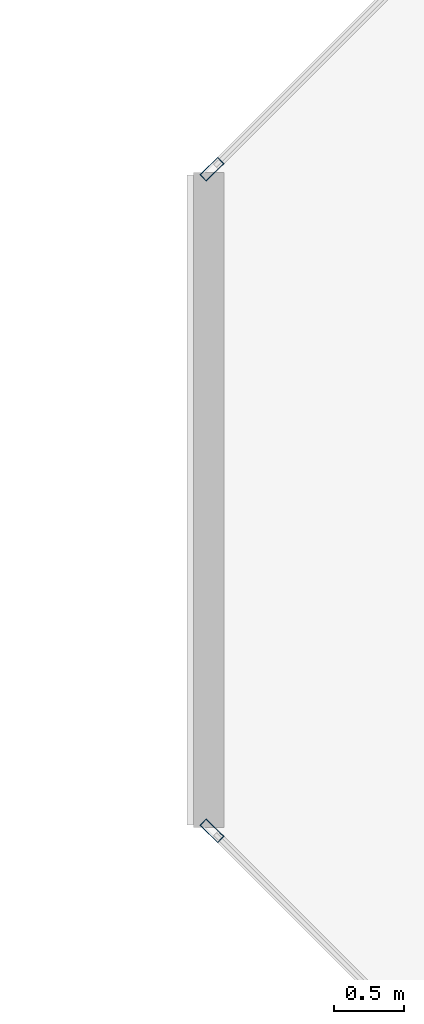
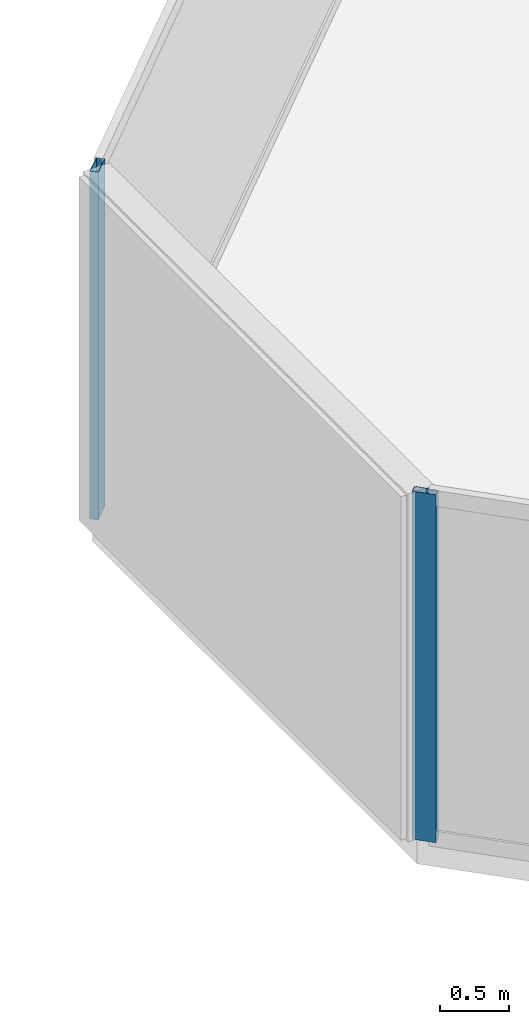
# One storey, part 7 of 29: 2 members, 2 elements without a shape of their own.
"""IFC4 building model written with IfcOpenShell, lengths in metres."""

from ifc_helpers import new_model, si_unit, direction, frame, origin, origin_2d, place, context, subcontext, project, spatial, hollow_rectangle, extrude, material, layer, layer_set, material_profile, profile_set, type_object, element, aggregate, save


model = new_model("IFC4")

# Units and contexts
model_context = context("Model", 3, precision=1e-05, world=origin(), true_north=direction((0.0, 1.0)))
body_context = subcontext(model_context, "Body", "Model", "MODEL_VIEW")
ifc_project = project(units=[si_unit("LENGTHUNIT", "METRE"), si_unit("AREAUNIT", "SQUARE_METRE"), si_unit("VOLUMEUNIT", "CUBIC_METRE"), si_unit("PLANEANGLEUNIT", "RADIAN"), si_unit("MASSUNIT", "GRAM", prefix="KILO")], contexts=[model_context])

# Site, building, storey
site_placement = place(None, origin())
site = spatial("IfcSite", under=ifc_project, at=site_placement, CompositionType="ELEMENT")
building_placement = place(site_placement, origin())
building = spatial("IfcBuilding", under=site, at=building_placement, Name="Tanjung Sevakor Pilgrim Tower", CompositionType="ELEMENT")
storey_placement = place(building_placement, frame((0.0, 0.0, 235.949951171875)))
storey = spatial("IfcBuildingStorey", under=building, at=storey_placement, Name="L66", CompositionType="ELEMENT", Elevation=235.949951171875)

# Curtain wall, member
ifc_material_1 = material(Name="Aluminium 6063-T6 and Low-E Glass", Category="aluminium")
ifc_layer = layer(ifc_material_1, 0.179931640625)
ifc_layer_set = layer_set([ifc_layer], Name="CW-SYS-CHAM")
curtain_wall_type = type_object("IfcCurtainWallType", Name="CW-SYS-CHAM", PredefinedType="NOTDEFINED", material=ifc_layer_set)
curtain_wall_1_placement = place(storey_placement, origin())
curtain_wall_1 = element("IfcCurtainWall", 1, at=curtain_wall_1_placement, inside=storey, type_object=curtain_wall_type, Name="L66 Curtain Wall CW-CHM-L66-EAST-5", PredefinedType="NOTDEFINED")
ifc_material_2 = material(Name="Aluminium 6063-T6", Category="aluminium")
ifc_material_profile = material_profile(ifc_material_2, hollow_rectangle(XDim=0.06494140625, YDim=0.179931640625, WallThickness=0.00390625, at=origin_2d()))
ifc_profile_set = profile_set([ifc_material_profile], Name="Aluminium 6063-T6")
member_type = type_object("IfcMemberType", Name="TYPE-CWM-1", PredefinedType="MULLION", material=ifc_profile_set)
member_1_placement = place(storey_placement, frame((52.23291015625, 35.977294921875, 0.0), z_axis=(0.0, 0.0, 1.0), x_axis=(0.707106781187, -0.707106781187, 0.0)))
member_1 = element("IfcMember", 2, at=member_1_placement, type_object=member_type, Name="CW-CHM mullion 2", PredefinedType="MULLION", context=body_context, shape_type="SweptSolid", body=[
    extrude(hollow_rectangle(XDim=0.06494140625, YDim=0.179931640625, WallThickness=0.00390625, at=origin_2d()), origin(), (0.0, 0.0, 1.0), 3.080078125),
])
aggregate(curtain_wall_1, [member_1])

curtain_wall_2_placement = place(storey_placement, origin())
curtain_wall_2 = element("IfcCurtainWall", 3, at=curtain_wall_2_placement, inside=storey, type_object=curtain_wall_type, Name="L66 Curtain Wall CW-CHM-L66-EAST-7", PredefinedType="NOTDEFINED")
member_2_placement = place(storey_placement, frame((52.23291015625, 31.22265625, 0.0), z_axis=(0.0, 0.0, 1.0), x_axis=(0.707106781187, 0.707106781187, 0.0)))
member_2 = element("IfcMember", 4, at=member_2_placement, type_object=member_type, Name="CW-CHM mullion 1", PredefinedType="MULLION", context=body_context, shape_type="SweptSolid", body=[
    extrude(hollow_rectangle(XDim=0.06494140625, YDim=0.179931640625, WallThickness=0.00390625, at=origin_2d()), origin(), (0.0, 0.0, 1.0), 3.080078125),
])
aggregate(curtain_wall_2, [member_2])

save(model, "model.ifc")
